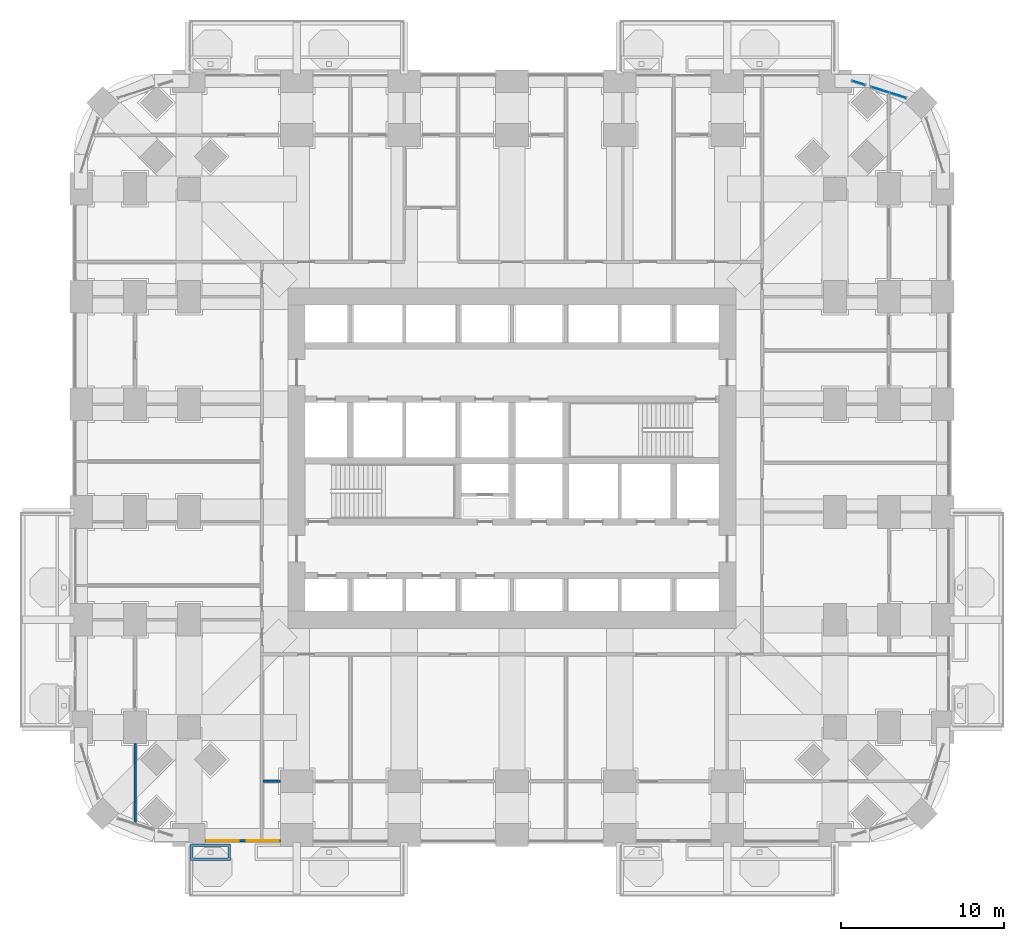
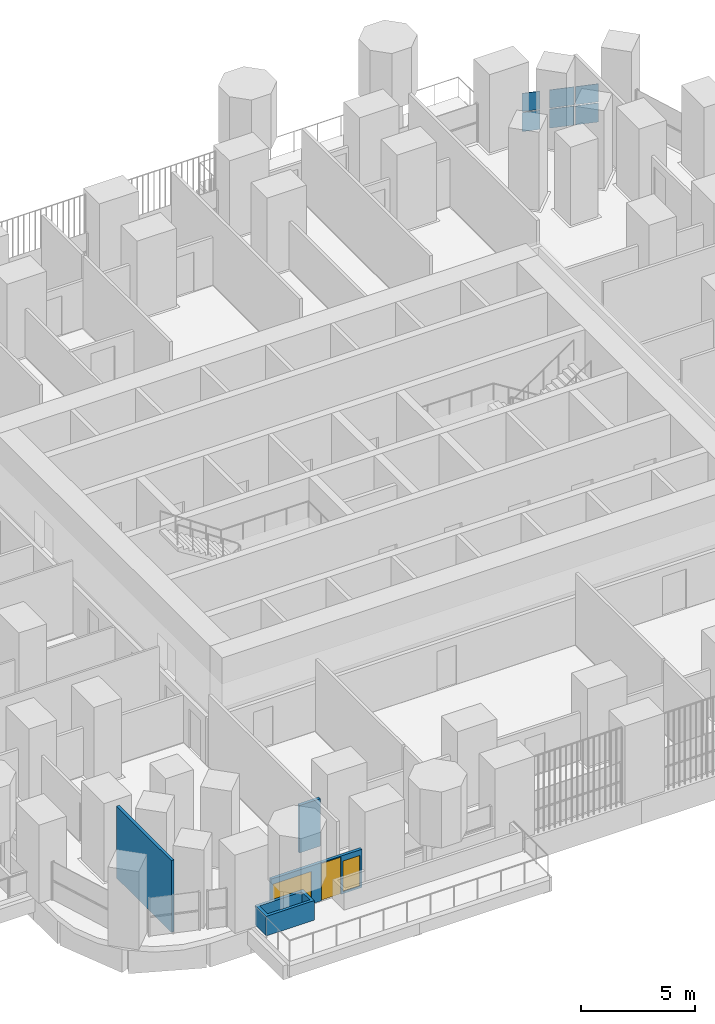
# One storey, part 16 of 27: 6 plates, 4 walls, 2 windows, 1 door, 3 openings, 2 elements without a shape of their own.
"""IFC4 building model written with IfcOpenShell, lengths in metres."""

from ifc_helpers import new_model, si_unit, direction, frame, frame_2d, origin, origin_2d, place, context, subcontext, project, spatial, polyline, rectangle, outline, extrude, material, layer, layer_set, type_object, element, fill, aggregate, save


model = new_model("IFC4")

# Units and contexts
model_context = context("Model", 3, precision=1e-05, world=origin(), true_north=direction((0.0, 1.0)))
body_context = subcontext(model_context, "Body", "Model", "MODEL_VIEW")
ifc_project = project(units=[si_unit("LENGTHUNIT", "METRE"), si_unit("AREAUNIT", "SQUARE_METRE"), si_unit("VOLUMEUNIT", "CUBIC_METRE"), si_unit("PLANEANGLEUNIT", "RADIAN"), si_unit("MASSUNIT", "GRAM", prefix="KILO")], contexts=[model_context])

# Site, building, storey
site_placement = place(None, origin())
site = spatial("IfcSite", under=ifc_project, at=site_placement, CompositionType="ELEMENT")
building_placement = place(site_placement, origin())
building = spatial("IfcBuilding", under=site, at=building_placement, Name="Cobogo Forest Laboratory Tower", CompositionType="ELEMENT")
storey_placement = place(building_placement, frame((0.0, 0.0, 71.699951171875)))
storey = spatial("IfcBuildingStorey", under=building, at=storey_placement, Name="L16", CompositionType="ELEMENT", Elevation=71.699951171875)

# Curtain wall, plates
ifc_material_1 = material(Name="Aluminium curtain wall", Category="aluminium")
curtain_wall_type = type_object("IfcCurtainWallType", Name="CW-1 unitised curtain wall, clear glazing, laboratory floors zones A and B", PredefinedType="USERDEFINED", material=ifc_material_1)
curtain_wall_1_placement = place(storey_placement, origin())
curtain_wall_1 = element("IfcCurtainWall", 1, at=curtain_wall_1_placement, inside=storey, type_object=curtain_wall_type, Name="Curtain wall 16 L16", ObjectType="UNITISED CURTAIN WALL", PredefinedType="USERDEFINED")
ifc_material_2 = material(Name="Clear insulated glass", Category="glass")
ifc_layer_1 = layer(ifc_material_2, 0.028076171875)
ifc_layer_set_1 = layer_set([ifc_layer_1], Name="GP-1 clear insulated glass unit 28")
plate_type = type_object("IfcPlateType", Name="GP-1 clear insulated glass unit 28", PredefinedType="CURTAIN_PANEL", material=ifc_layer_set_1)
plate_1_placement = place(storey_placement, frame((50.042724609375, 45.33642578125, 0.0), z_axis=(0.0, 0.0, 1.0), x_axis=(-0.953581409645, 0.301135343623, 0.0)))
plate_1 = element("IfcPlate", 2, at=plate_1_placement, type_object=plate_type, Name="CW-1 panel 1.1", PredefinedType="CURTAIN_PANEL", context=body_context, shape_type="SweptSolid", body=[
    extrude(rectangle(XDim=1.027587890625, YDim=0.028076171875, at=origin_2d()), origin(), (0.0, 0.0, 1.0), 1.02001953125),
])
plate_2_placement = place(storey_placement, frame((50.042724609375, 45.33642578125, 1.080078125), z_axis=(0.0, 0.0, 1.0), x_axis=(-0.953581409645, 0.301135343623, 0.0)))
plate_2 = element("IfcPlate", 3, at=plate_2_placement, type_object=plate_type, Name="CW-1 panel 1.2", PredefinedType="CURTAIN_PANEL", context=body_context, shape_type="SweptSolid", body=[
    extrude(rectangle(XDim=1.027587890625, YDim=0.028076171875, at=origin_2d()), origin(), (0.0, 0.0, 1.0), 0.969970703125),
])
plate_3_placement = place(storey_placement, frame((48.963623046875, 45.67724609375, 0.0), z_axis=(0.0, 0.0, 1.0), x_axis=(-0.953581409645, 0.301135343623, 0.0)))
plate_3 = element("IfcPlate", 4, at=plate_3_placement, type_object=plate_type, Name="CW-1 panel 2.1", PredefinedType="CURTAIN_PANEL", context=body_context, shape_type="SweptSolid", body=[
    extrude(rectangle(XDim=1.11572265625, YDim=0.028076171875, at=origin_2d()), origin(), (0.0, 0.0, 1.0), 1.02001953125),
])
plate_4_placement = place(storey_placement, frame((48.963623046875, 45.67724609375, 1.080078125), z_axis=(0.0, 0.0, 1.0), x_axis=(-0.953581409645, 0.301135343623, 0.0)))
plate_4 = element("IfcPlate", 5, at=plate_4_placement, type_object=plate_type, Name="CW-1 panel 2.2", PredefinedType="CURTAIN_PANEL", context=body_context, shape_type="SweptSolid", body=[
    extrude(rectangle(XDim=1.11572265625, YDim=0.028076171875, at=origin_2d()), origin(), (0.0, 0.0, 1.0), 0.969970703125),
])
aggregate(curtain_wall_1, [plate_1, plate_2, plate_3, plate_4])

curtain_wall_2_placement = place(storey_placement, origin())
curtain_wall_2 = element("IfcCurtainWall", 6, at=curtain_wall_2_placement, inside=storey, type_object=curtain_wall_type, Name="Curtain wall 17 L16", ObjectType="UNITISED CURTAIN WALL", PredefinedType="USERDEFINED")
plate_5_placement = place(storey_placement, frame((47.640869140625, 46.094970703125, 0.0), z_axis=(0.0, 0.0, 1.0), x_axis=(-0.953581406818, 0.301135352577, 0.0)))
plate_5 = element("IfcPlate", 7, at=plate_5_placement, type_object=plate_type, Name="CW-1 panel 1.1", PredefinedType="CURTAIN_PANEL", context=body_context, shape_type="SweptSolid", body=[
    extrude(rectangle(XDim=0.804931640625, YDim=0.028076171875, at=origin_2d()), origin(), (0.0, 0.0, 1.0), 1.02001953125),
])
plate_6_placement = place(storey_placement, frame((47.640869140625, 46.094970703125, 1.080078125), z_axis=(0.0, 0.0, 1.0), x_axis=(-0.953581406818, 0.301135352577, 0.0)))
plate_6 = element("IfcPlate", 8, at=plate_6_placement, type_object=plate_type, Name="CW-1 panel 1.2", PredefinedType="CURTAIN_PANEL", context=body_context, shape_type="SweptSolid", body=[
    extrude(rectangle(XDim=0.804931640625, YDim=0.028076171875, at=origin_2d()), origin(), (0.0, 0.0, 1.0), 0.969970703125),
])
aggregate(curtain_wall_2, [plate_5, plate_6])

# Wall, openings, door, windows
ifc_material_3 = material(Name="Aluminium framed glazed screen", Category="aluminium")
ifc_layer_2 = layer(ifc_material_3, 0.14990234375)
ifc_layer_set_2 = layer_set([ifc_layer_2], Name="GS1 glazed door screen 150")
wall_type_1 = type_object("IfcWallType", Name="GS1 glazed door screen 150", PredefinedType="SOLIDWALL", material=ifc_layer_set_2)
wall_1_placement = place(storey_placement, frame((7.60009765625, -0.35009765625, 0.0), z_axis=(0.0, 0.0, 1.0), x_axis=(1.0, 0.0, 0.0)))
wall_1 = element("IfcWall", 9, at=wall_1_placement, inside=storey, type_object=wall_type_1, Name="Door screen BAL-S1 L16", PredefinedType="SOLIDWALL", context=body_context, shape_type="SweptSolid", body=[
    extrude(rectangle(XDim=4.599853515625, YDim=0.14990234375, at=frame_2d((2.2998046875, 0.0))), origin(), (0.0, 0.0, 1.0), 2.050048828125),
])
opening_1_placement = place(wall_1_placement, frame((2.550048828125, 0.0, 0.0)))
opening_1 = element("IfcOpeningElement", 10, at=opening_1_placement, cuts=wall_1, Name="Opening L16-D01", PredefinedType="OPENING", context=body_context, shape_type="SweptSolid", body=[
    extrude(rectangle(XDim=1.0, YDim=2.0, at=frame_2d((0.5, 1.0))), frame((0.0, 0.0849609375, 0.0), z_axis=(0.0, -1.0, 0.0), x_axis=(1.0, 0.0, 0.0)), (0.0, 0.0, 1.0), 0.169921875),
])
opening_2_placement = place(wall_1_placement, frame((0.10009765625, 0.0, 0.10009765625)))
opening_2 = element("IfcOpeningElement", 11, at=opening_2_placement, cuts=wall_1, Name="Opening L16-W01", PredefinedType="OPENING", context=body_context, shape_type="SweptSolid", body=[
    extrude(rectangle(XDim=1.949951171875, YDim=1.64990234375, at=frame_2d((0.97509765625, 0.824951171875))), frame((0.0, 0.0849609375, 0.0), z_axis=(0.0, -1.0, 0.0), x_axis=(1.0, 0.0, 0.0)), (0.0, 0.0, 1.0), 0.169921875),
])
opening_3_placement = place(wall_1_placement, frame((3.64990234375, 0.0, 0.10009765625)))
opening_3 = element("IfcOpeningElement", 12, at=opening_3_placement, cuts=wall_1, Name="Opening L16-W02", PredefinedType="OPENING", context=body_context, shape_type="SweptSolid", body=[
    extrude(rectangle(XDim=0.85009765625, YDim=1.64990234375, at=frame_2d((0.425048828125, 0.824951171875))), frame((0.0, 0.0849609375, 0.0), z_axis=(0.0, -1.0, 0.0), x_axis=(1.0, 0.0, 0.0)), (0.0, 0.0, 1.0), 0.169921875),
])
ifc_material_4 = material(Name="Aluminium glazed door", Category="aluminium")
door_type = type_object("IfcDoorType", Name="DB2 balcony door 1000 glazed 2000 high", OperationType="SINGLE_SWING_LEFT", PredefinedType="DOOR", material=ifc_material_4)
door_placement = place(opening_1_placement, origin())
door = element("IfcDoor", 13, at=door_placement, inside=storey, type_object=door_type, Name="Door L16-BAL-S1", OperationType="SINGLE_SWING_RIGHT", OverallHeight=2.0, OverallWidth=1.0, PredefinedType="DOOR", context=body_context, shape_type="SweptSolid", body=[
    extrude(rectangle(XDim=1.0, YDim=2.0, at=frame_2d((0.5, 1.0))), frame((0.0, 0.02490234375, 0.0), z_axis=(0.0, -1.0, 0.0), x_axis=(1.0, 0.0, 0.0)), (0.0, 0.0, 1.0), 0.050048828125),
])
fill(opening_1, door)
ifc_material_5 = material(Name="Aluminium framed glazing", Category="aluminium")
window_type_1 = type_object("IfcWindowType", Name="WG10 fixed glazed light 850x1650", PartitioningType="SINGLE_PANEL", PredefinedType="WINDOW", material=ifc_material_5)
window_1_placement = place(opening_3_placement, origin())
window_1 = element("IfcWindow", 14, at=window_1_placement, inside=storey, type_object=window_type_1, Name="Window L16-BAL-S1-2", OverallHeight=1.64990234375, OverallWidth=0.85009765625, PartitioningType="SINGLE_PANEL", PredefinedType="WINDOW", context=body_context, shape_type="SweptSolid", body=[
    extrude(rectangle(XDim=0.85009765625, YDim=1.64990234375, at=frame_2d((0.425048828125, 0.824951171875))), frame((0.0, 0.030029296875, 0.0), z_axis=(0.0, -1.0, 0.0), x_axis=(1.0, 0.0, 0.0)), (0.0, 0.0, 1.0), 0.06005859375),
])
fill(opening_3, window_1)
window_type_2 = type_object("IfcWindowType", Name="WG9 fixed glazed light 1950x1650", PartitioningType="SINGLE_PANEL", PredefinedType="WINDOW", material=ifc_material_5)
window_2_placement = place(opening_2_placement, origin())
window_2 = element("IfcWindow", 15, at=window_2_placement, inside=storey, type_object=window_type_2, Name="Window L16-BAL-S1-1", OverallHeight=1.64990234375, OverallWidth=1.949951171875, PartitioningType="SINGLE_PANEL", PredefinedType="WINDOW", context=body_context, shape_type="SweptSolid", body=[
    extrude(rectangle(XDim=1.949951171875, YDim=1.64990234375, at=frame_2d((0.97509765625, 0.824951171875))), frame((0.0, 0.030029296875, 0.0), z_axis=(0.0, -1.0, 0.0), x_axis=(1.0, 0.0, 0.0)), (0.0, 0.0, 1.0), 0.06005859375),
])
fill(opening_2, window_2)

# Walls
ifc_material_6 = material(Name="Gypsum board on steel studs", Category="steel")
ifc_layer_3 = layer(ifc_material_6, 0.14990234375)
ifc_layer_set_3 = layer_set([ifc_layer_3], Name="PT1 laboratory partition 150")
wall_type_2 = type_object("IfcWallType", Name="PT1 laboratory partition 150", PredefinedType="PARTITIONING", material=ifc_layer_set_3)
wall_2_placement = place(storey_placement, frame((11.14990234375, 3.300048828125, 0.0), z_axis=(0.0, 0.0, 1.0), x_axis=(1.0, 0.0, 0.0)))
element("IfcWall", 16, at=wall_2_placement, inside=storey, type_object=wall_type_2, Name="Partition STRIP-S-1 L16", PredefinedType="PARTITIONING", context=body_context, shape_type="SweptSolid", body=[
    extrude(rectangle(XDim=1.050048828125, YDim=0.14990234375, at=frame_2d((0.52490234375, 0.0))), origin(), (0.0, 0.0, 1.0), 2.550048828125),
])
wall_3_placement = place(storey_placement, frame((3.300048828125, 5.60009765625, 0.0), z_axis=(0.0, 0.0, 1.0), x_axis=(0.0, -1.0, 0.0)))
element("IfcWall", 17, at=wall_3_placement, inside=storey, type_object=wall_type_2, Name="Partition STRIP-W-3 L16", PredefinedType="PARTITIONING", context=body_context, shape_type="SweptSolid", body=[
    extrude(rectangle(XDim=4.823974609375, YDim=0.14990234375, at=frame_2d((2.412109375, 0.0))), origin(), (0.0, 0.0, 1.0), 3.85009765625),
])
ifc_material_7 = material(Name="Concrete HA-40 (C40/50)", Category="concrete")
ifc_layer_4 = layer(ifc_material_7, 0.14990234375)
ifc_layer_set_4 = layer_set([ifc_layer_4], Name="Planter box 1000x1050")
wall_type_3 = type_object("IfcWallType", Name="Planter box 1000x1050", PredefinedType="USERDEFINED", material=ifc_layer_set_4)
wall_4_placement = place(storey_placement, origin())
element("IfcWall", 18, at=wall_4_placement, inside=storey, type_object=wall_type_3, Name="Planter BAL-S1-1 L16", ObjectType="PLANTER", PredefinedType="USERDEFINED", context=body_context, shape_type="SweptSolid", body=[
    extrude(outline(polyline([(6.699951171875, -1.550048828125), (9.14990234375, -1.550048828125), (9.14990234375, -0.550048828125), (6.699951171875, -0.550048828125), (6.699951171875, -1.550048828125)]), holes=[polyline([(6.85009765625, -1.39990234375), (9.0, -1.39990234375), (9.0, -0.699951171875), (6.85009765625, -0.699951171875), (6.85009765625, -1.39990234375)])]), origin(), (0.0, 0.0, 1.0), 1.050048828125),
])

save(model, "model.ifc")
